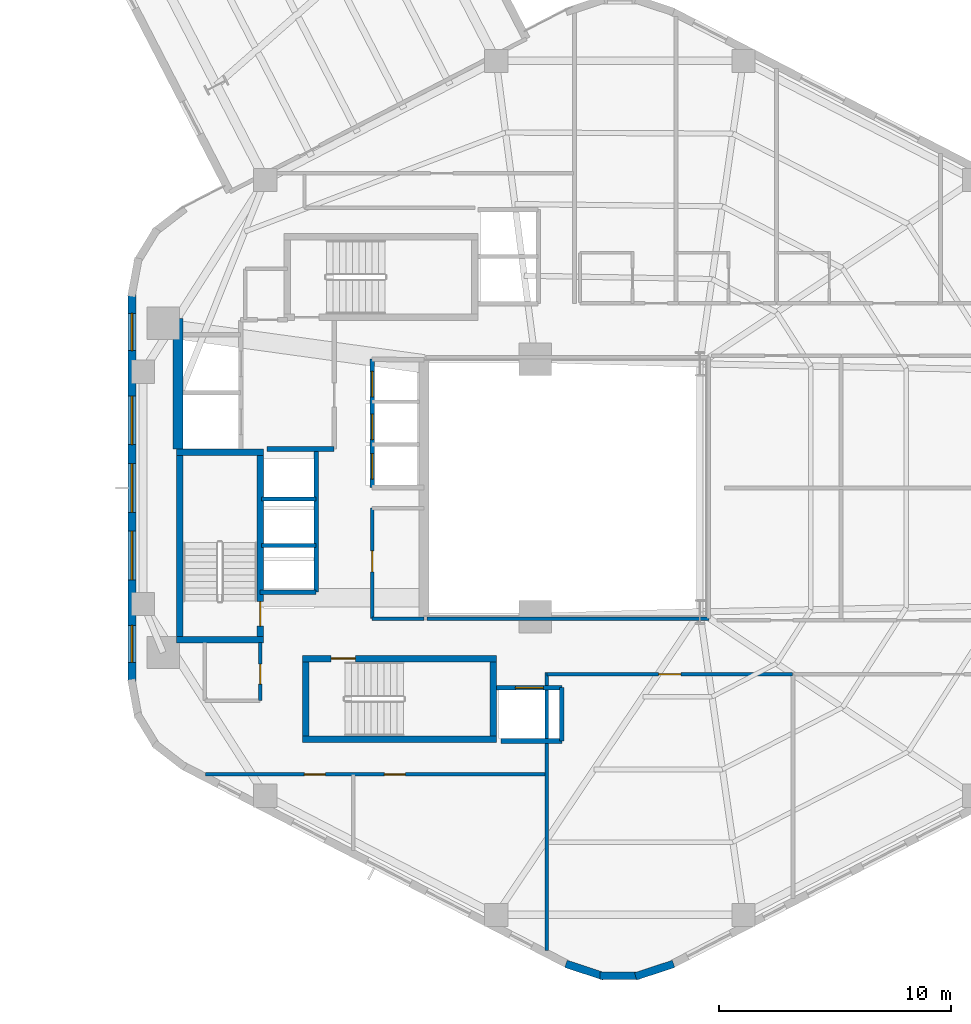
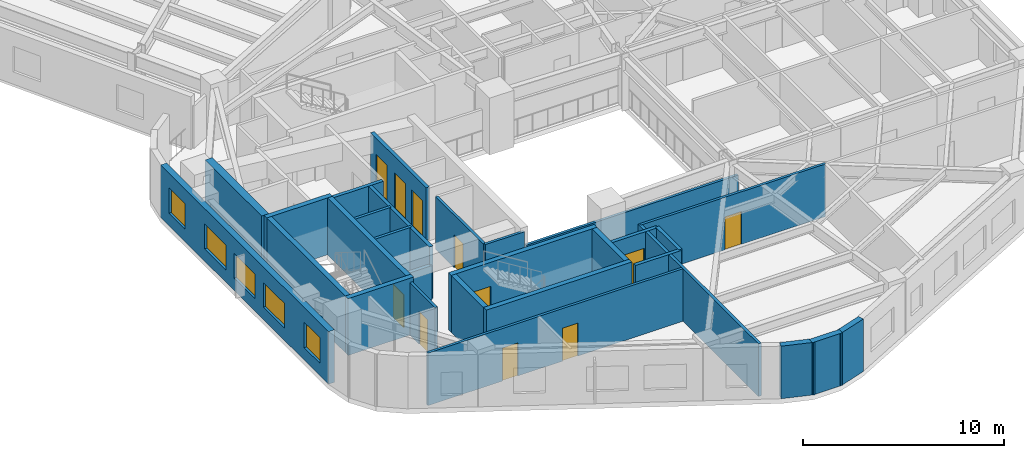
# One storey, part 6 of 11: 29 walls, 11 doors, 5 windows, 16 openings.
"""IFC4 building model written with IfcOpenShell, lengths in metres."""

from ifc_helpers import new_model, si_unit, direction, frame, frame_2d, origin, place, context, subcontext, project, spatial, rectangle, extrude, material, layer, layer_set, type_object, element, fill, save


model = new_model("IFC4")

# Units and contexts
model_context = context("Model", 3, precision=1e-05, world=origin(), true_north=direction((0.0, 1.0)))
body_context = subcontext(model_context, "Body", "Model", "MODEL_VIEW")
ifc_project = project(units=[si_unit("LENGTHUNIT", "METRE"), si_unit("AREAUNIT", "SQUARE_METRE"), si_unit("VOLUMEUNIT", "CUBIC_METRE"), si_unit("PLANEANGLEUNIT", "RADIAN"), si_unit("MASSUNIT", "GRAM", prefix="KILO"), si_unit("THERMODYNAMICTEMPERATUREUNIT", "KELVIN"), si_unit("POWERUNIT", "WATT")], contexts=[model_context])

# Site, building, storey
site_placement = place(None, origin())
site = spatial("IfcSite", under=ifc_project, at=site_placement, CompositionType="ELEMENT")
building_placement = place(site_placement, origin())
building = spatial("IfcBuilding", under=site, at=building_placement, Name="Skarre Station Tower", CompositionType="ELEMENT")
storey_placement = place(building_placement, frame((0.0, 0.0, 146.39990234375)))
storey = spatial("IfcBuildingStorey", under=building, at=storey_placement, Name="L39", CompositionType="ELEMENT", Elevation=146.39990234375)

# Wall, opening, door
ifc_material_1 = material(Name="Acoustic Steel-Stud Gypsum Partition", Category="steel")
ifc_layer_1 = layer(ifc_material_1, 0.14990234375, Name="Acoustic Steel-Stud Gypsum Partition")
ifc_layer_set_1 = layer_set([ifc_layer_1], Name="Acoustic Steel-Stud Gypsum Partition")
wall_type_1 = type_object("IfcWallType", Name="Fire-Rated Corridor Acoustic Partition 150", PredefinedType="PARTITIONING", material=ifc_layer_set_1)
wall_1_placement = place(storey_placement, frame((25.320068359375, 23.1298828125, 0.0), z_axis=(0.0, 0.0, 1.0), x_axis=(0.0, -1.0, 0.0)))
wall_1 = element("IfcWall", 1, at=wall_1_placement, inside=storey, type_object=wall_type_1, Name="L39 Interior Partition WL-PT-L39-RC1-W1", PredefinedType="PARTITIONING", context=body_context, shape_type="SweptSolid", body=[
    extrude(rectangle(XDim=4.769775390625, YDim=0.14990234375, at=frame_2d((2.384765625, 0.0))), origin(), (0.0, 0.0, 1.0), 3.190185546875),
])
opening_1_placement = place(wall_1_placement, frame((1.85009765625, 0.0, 0.0)))
opening_1 = element("IfcOpeningElement", 2, at=opening_1_placement, cuts=wall_1, Name="Opening DR-SVC90", PredefinedType="OPENING", context=body_context, shape_type="SweptSolid", body=[
    extrude(rectangle(XDim=0.89990234375, YDim=2.0, at=frame_2d((0.449951171875, 1.0))), frame((0.0, 0.0849609375, 0.0), z_axis=(0.0, -1.0, 0.0), x_axis=(1.0, 0.0, 0.0)), (0.0, 0.0, 1.0), 0.169921875),
])
ifc_material_2 = material(Name="Powder-Coated Hollow-Metal Acoustic Fire Leaf", Category="steel")
door_type_1 = type_object("IfcDoorType", Name="Service & Riser Fire Door FD60 900x2100", OperationType="SINGLE_SWING_LEFT", PredefinedType="DOOR", material=ifc_material_2)
door_1_placement = place(opening_1_placement, origin())
door_1 = element("IfcDoor", 3, at=door_1_placement, inside=storey, type_object=door_type_1, Name="L39 Core IT Room Door", OperationType="SINGLE_SWING_LEFT", OverallHeight=2.0, OverallWidth=0.89990234375, PredefinedType="DOOR", context=body_context, shape_type="SweptSolid", body=[
    extrude(rectangle(XDim=0.89990234375, YDim=2.0, at=frame_2d((0.449951171875, 1.0))), frame((0.0, 0.02490234375, 0.0), z_axis=(0.0, -1.0, 0.0), x_axis=(1.0, 0.0, 0.0)), (0.0, 0.0, 1.0), 0.050048828125),
])
fill(opening_1, door_1)

# Wall
wall_2_placement = place(storey_placement, frame((25.320068359375, 18.360107421875, 0.0), z_axis=(0.0, 0.0, 1.0), x_axis=(1.0, 0.0, 0.0)))
element("IfcWall", 4, at=wall_2_placement, inside=storey, type_object=wall_type_1, Name="L39 Interior Partition WL-PT-L39-RC1-S", PredefinedType="PARTITIONING", context=body_context, shape_type="SweptSolid", body=[
    extrude(rectangle(XDim=2.22998046875, YDim=0.14990234375, at=frame_2d((1.114990234375, 0.0))), origin(), (0.0, 0.0, 1.0), 3.190185546875),
])

# Wall, opening, door
wall_3_placement = place(storey_placement, frame((20.489990234375, 14.820068359375, 0.0), z_axis=(0.0, 0.0, 1.0), x_axis=(0.0, 1.0, 0.0)))
wall_3 = element("IfcWall", 5, at=wall_3_placement, inside=storey, type_object=wall_type_1, Name="L39 Interior Partition WL-PT-L39-CSVC-E", PredefinedType="PARTITIONING", context=body_context, shape_type="SweptSolid", body=[
    extrude(rectangle(XDim=2.52001953125, YDim=0.14990234375, at=frame_2d((1.260009765625, 0.0))), origin(), (0.0, 0.0, 1.0), 3.190185546875),
])
opening_2_placement = place(wall_3_placement, frame((0.719970703125, 0.0, 0.0)))
opening_2 = element("IfcOpeningElement", 6, at=opening_2_placement, cuts=wall_3, Name="Opening DR-SVC86", PredefinedType="OPENING", context=body_context, shape_type="SweptSolid", body=[
    extrude(rectangle(XDim=0.860107421875, YDim=2.0, at=frame_2d((0.43017578125, 1.0))), frame((0.0, 0.0849609375, 0.0), z_axis=(0.0, -1.0, 0.0), x_axis=(1.0, 0.0, 0.0)), (0.0, 0.0, 1.0), 0.169921875),
])
door_type_2 = type_object("IfcDoorType", Name="Compact Riser Fire Door FD60 860x2100", OperationType="SINGLE_SWING_LEFT", PredefinedType="DOOR", material=ifc_material_2)
door_2_placement = place(opening_2_placement, origin())
door_2 = element("IfcDoor", 7, at=door_2_placement, inside=storey, type_object=door_type_2, Name="L39 Core Staff Toilet Door", OperationType="SINGLE_SWING_LEFT", OverallHeight=2.0, OverallWidth=0.860107421875, PredefinedType="DOOR", context=body_context, shape_type="SweptSolid", body=[
    extrude(rectangle(XDim=0.860107421875, YDim=2.0, at=frame_2d((0.43017578125, 1.0))), frame((0.0, 0.02490234375, 0.0), z_axis=(0.0, -1.0, 0.0), x_axis=(1.0, 0.0, 0.0)), (0.0, 0.0, 1.0), 0.050048828125),
])
fill(opening_2, door_2)

# Wall
wall_4_placement = place(storey_placement, frame((27.675048828125, 18.360107421875, 0.0), z_axis=(0.0, 0.0, 1.0), x_axis=(1.0, 0.0, 0.0)))
element("IfcWall", 8, at=wall_4_placement, inside=storey, type_object=wall_type_1, Name="L39 Interior Partition WL-PT-L39-ATRW-S", PredefinedType="PARTITIONING", context=body_context, shape_type="SweptSolid", body=[
    extrude(rectangle(XDim=12.1650390625, YDim=0.14990234375, at=frame_2d((6.08251953125, 0.0))), origin(), (0.0, 0.0, 1.0), 2.3310546875),
])

# Wall, openings, doors
wall_5_placement = place(storey_placement, frame((18.1259765625, 11.639892578125, 0.0), z_axis=(0.0, 0.0, 1.0), x_axis=(1.0, 0.0, 0.0)))
wall_5 = element("IfcWall", 9, at=wall_5_placement, inside=storey, type_object=wall_type_1, Name="L39 Interior Partition WL-PT-L39-SWP-N", PredefinedType="PARTITIONING", context=body_context, shape_type="SweptSolid", body=[
    extrude(rectangle(XDim=14.72412109375, YDim=0.14990234375, at=frame_2d((7.362060546875, 0.0))), origin(), (0.0, 0.0, 1.0), 3.190185546875),
])
opening_3_placement = place(wall_5_placement, frame((4.27392578125, 0.0, 0.0)))
opening_3 = element("IfcOpeningElement", 10, at=opening_3_placement, cuts=wall_5, Name="Opening DR-SVC90", PredefinedType="OPENING", context=body_context, shape_type="SweptSolid", body=[
    extrude(rectangle(XDim=0.89990234375, YDim=2.0, at=frame_2d((0.449951171875, 1.0))), frame((0.0, 0.0849609375, 0.0), z_axis=(0.0, -1.0, 0.0), x_axis=(1.0, 0.0, 0.0)), (0.0, 0.0, 1.0), 0.169921875),
])
opening_4_placement = place(wall_5_placement, frame((7.72412109375, 0.0, 0.0)))
opening_4 = element("IfcOpeningElement", 11, at=opening_4_placement, cuts=wall_5, Name="Opening DR-SVC90", PredefinedType="OPENING", context=body_context, shape_type="SweptSolid", body=[
    extrude(rectangle(XDim=0.89990234375, YDim=2.0, at=frame_2d((0.449951171875, 1.0))), frame((0.0, 0.0849609375, 0.0), z_axis=(0.0, -1.0, 0.0), x_axis=(1.0, 0.0, 0.0)), (0.0, 0.0, 1.0), 0.169921875),
])
door_3_placement = place(opening_3_placement, origin())
door_3 = element("IfcDoor", 12, at=door_3_placement, inside=storey, type_object=door_type_1, Name="L39 Floor Public Toilets Door", OperationType="SINGLE_SWING_LEFT", OverallHeight=2.0, OverallWidth=0.89990234375, PredefinedType="DOOR", context=body_context, shape_type="SweptSolid", body=[
    extrude(rectangle(XDim=0.89990234375, YDim=2.0, at=frame_2d((0.449951171875, 1.0))), frame((0.0, 0.02490234375, 0.0), z_axis=(0.0, -1.0, 0.0), x_axis=(1.0, 0.0, 0.0)), (0.0, 0.0, 1.0), 0.050048828125),
])
fill(opening_3, door_3)
door_4_placement = place(opening_4_placement, origin())
door_4 = element("IfcDoor", 13, at=door_4_placement, inside=storey, type_object=door_type_1, Name="L39 Housekeeping Room Door", OperationType="SINGLE_SWING_LEFT", OverallHeight=2.0, OverallWidth=0.89990234375, PredefinedType="DOOR", context=body_context, shape_type="SweptSolid", body=[
    extrude(rectangle(XDim=0.89990234375, YDim=2.0, at=frame_2d((0.449951171875, 1.0))), frame((0.0, 0.02490234375, 0.0), z_axis=(0.0, -1.0, 0.0), x_axis=(1.0, 0.0, 0.0)), (0.0, 0.0, 1.0), 0.050048828125),
])
fill(opening_4, door_4)

# Wall, opening, door
wall_6_placement = place(storey_placement, frame((32.85009765625, 15.9599609375, 0.0), z_axis=(0.0, 0.0, 1.0), x_axis=(1.0, 0.0, 0.0)))
wall_6 = element("IfcWall", 14, at=wall_6_placement, inside=storey, type_object=wall_type_1, Name="L39 Interior Partition WL-PT-L39-SW1-CW", PredefinedType="PARTITIONING", context=body_context, shape_type="SweptSolid", body=[
    extrude(rectangle(XDim=10.61083984375, YDim=0.14990234375, at=frame_2d((5.305419921875, 0.0))), origin(), (0.0, 0.0, 1.0), 3.190185546875),
])
opening_5_placement = place(wall_6_placement, frame((4.825927734375, 0.0, 0.0)))
opening_5 = element("IfcOpeningElement", 15, at=opening_5_placement, cuts=wall_6, Name="Opening DR-FD60", PredefinedType="OPENING", context=body_context, shape_type="SweptSolid", body=[
    extrude(rectangle(XDim=0.9599609375, YDim=2.0, at=frame_2d((0.47998046875, 1.0))), frame((0.0, 0.0849609375, 0.0), z_axis=(0.0, -1.0, 0.0), x_axis=(1.0, 0.0, 0.0)), (0.0, 0.0, 1.0), 0.169921875),
])
ifc_material_3 = material(Name="Nordic White-Oak Veneer Solid-Core Fire Leaf", Category="wood")
door_type_3 = type_object("IfcDoorType", Name="Corridor Suite Entry Fire Door FD60 960x2150", OperationType="SINGLE_SWING_LEFT", PredefinedType="DOOR", material=ifc_material_3)
door_5_placement = place(opening_5_placement, origin())
door_5 = element("IfcDoor", 16, at=door_5_placement, inside=storey, type_object=door_type_3, Name="L39 SW1 Entry Door", OperationType="SINGLE_SWING_LEFT", OverallHeight=2.0, OverallWidth=0.9599609375, PredefinedType="DOOR", context=body_context, shape_type="SweptSolid", body=[
    extrude(rectangle(XDim=0.9599609375, YDim=2.0, at=frame_2d((0.47998046875, 1.0))), frame((0.0, 0.02490234375, 0.0), z_axis=(0.0, -1.0, 0.0), x_axis=(1.0, 0.0, 0.0)), (0.0, 0.0, 1.0), 0.050048828125),
])
fill(opening_5, door_5)

# Wall, openings, windows
ifc_material_4 = material(Name="Precast concrete C45/55", Category="concrete")
ifc_layer_2 = layer(ifc_material_4, 0.340087890625, Name="Precast concrete C45/55")
ifc_layer_set_2 = layer_set([ifc_layer_2], Name="Precast concrete C45/55")
wall_type_2 = type_object("IfcWallType", Name="Nordic Honed Precast Facet Wall 340", PredefinedType="STANDARD", material=ifc_layer_set_2)
wall_7_placement = place(storey_placement, frame((14.951904296875, 15.64794921875, 0.0), z_axis=(0.0, 0.0, 1.0), x_axis=(0.0, 1.0, 0.0)))
wall_7 = element("IfcWall", 17, at=wall_7_placement, inside=storey, type_object=wall_type_2, Name="L39 Facet 2 Nordic Precast Masonry Wall", PredefinedType="STANDARD", context=body_context, shape_type="SweptSolid", body=[
    extrude(rectangle(XDim=16.7041015625, YDim=0.340087890625, at=frame_2d((8.35205078125, 0.0))), origin(), (0.0, 0.0, 1.0), 3.190185546875),
])
opening_6_placement = place(wall_7_placement, frame((0.825927734375, 0.0, 0.75)))
opening_6 = element("IfcOpeningElement", 18, at=opening_6_placement, cuts=wall_7, Name="Opening WN-Z2A", PredefinedType="OPENING", context=body_context, shape_type="SweptSolid", body=[
    extrude(rectangle(XDim=1.60009765625, YDim=1.550048828125, at=frame_2d((0.800048828125, 0.77490234375))), frame((0.0, 0.179931640625, 0.0), z_axis=(0.0, -1.0, 0.0), x_axis=(1.0, 0.0, 0.0)), (0.0, 0.0, 1.0), 0.360107421875),
])
opening_7_placement = place(wall_7_placement, frame((4.387939453125, 0.0, 0.75)))
opening_7 = element("IfcOpeningElement", 19, at=opening_7_placement, cuts=wall_7, Name="Opening WN-Z2B", PredefinedType="OPENING", context=body_context, shape_type="SweptSolid", body=[
    extrude(rectangle(XDim=2.10009765625, YDim=1.5, at=frame_2d((1.050048828125, 0.75))), frame((0.0, 0.179931640625, 0.0), z_axis=(0.0, -1.0, 0.0), x_axis=(1.0, 0.0, 0.0)), (0.0, 0.0, 1.0), 0.360107421875),
])
opening_8_placement = place(wall_7_placement, frame((7.302001953125, 0.0, 0.75)))
opening_8 = element("IfcOpeningElement", 20, at=opening_8_placement, cuts=wall_7, Name="Opening WN-Z2B", PredefinedType="OPENING", context=body_context, shape_type="SweptSolid", body=[
    extrude(rectangle(XDim=2.10009765625, YDim=1.5, at=frame_2d((1.050048828125, 0.75))), frame((0.0, 0.179931640625, 0.0), z_axis=(0.0, -1.0, 0.0), x_axis=(1.0, 0.0, 0.0)), (0.0, 0.0, 1.0), 0.360107421875),
])
opening_9_placement = place(wall_7_placement, frame((10.216064453125, 0.0, 0.75)))
opening_9 = element("IfcOpeningElement", 21, at=opening_9_placement, cuts=wall_7, Name="Opening WN-Z2B", PredefinedType="OPENING", context=body_context, shape_type="SweptSolid", body=[
    extrude(rectangle(XDim=2.10009765625, YDim=1.5, at=frame_2d((1.050048828125, 0.75))), frame((0.0, 0.179931640625, 0.0), z_axis=(0.0, -1.0, 0.0), x_axis=(1.0, 0.0, 0.0)), (0.0, 0.0, 1.0), 0.360107421875),
])
opening_10_placement = place(wall_7_placement, frame((14.278076171875, 0.0, 0.75)))
opening_10 = element("IfcOpeningElement", 22, at=opening_10_placement, cuts=wall_7, Name="Opening WN-Z2A", PredefinedType="OPENING", context=body_context, shape_type="SweptSolid", body=[
    extrude(rectangle(XDim=1.60009765625, YDim=1.550048828125, at=frame_2d((0.800048828125, 0.77490234375))), frame((0.0, 0.179931640625, 0.0), z_axis=(0.0, -1.0, 0.0), x_axis=(1.0, 0.0, 0.0)), (0.0, 0.0, 1.0), 0.360107421875),
])
ifc_material_5 = material(Name="Low-Iron Triple Glazing with Bronze Anodized Frame", Category="glass")
window_type_1 = type_object("IfcWindowType", Name="Nordic Residential Tall Window 1600x1550", PartitioningType="SINGLE_PANEL", PredefinedType="WINDOW", material=ifc_material_5)
window_1_placement = place(opening_6_placement, origin())
window_1 = element("IfcWindow", 23, at=window_1_placement, inside=storey, type_object=window_type_1, Name="L39 Facade Window WL-FAC-L39-F2-1", OverallHeight=1.550048828125, OverallWidth=1.60009765625, PartitioningType="SINGLE_PANEL", PredefinedType="WINDOW", context=body_context, shape_type="SweptSolid", body=[
    extrude(rectangle(XDim=1.60009765625, YDim=1.550048828125, at=frame_2d((0.800048828125, 0.77490234375))), frame((0.0, 0.030029296875, 0.0), z_axis=(0.0, -1.0, 0.0), x_axis=(1.0, 0.0, 0.0)), (0.0, 0.0, 1.0), 0.06005859375),
])
fill(opening_6, window_1)
window_2_placement = place(opening_10_placement, origin())
window_2 = element("IfcWindow", 24, at=window_2_placement, inside=storey, type_object=window_type_1, Name="L39 Facade Window WL-FAC-L39-F2-5", OverallHeight=1.550048828125, OverallWidth=1.60009765625, PartitioningType="SINGLE_PANEL", PredefinedType="WINDOW", context=body_context, shape_type="SweptSolid", body=[
    extrude(rectangle(XDim=1.60009765625, YDim=1.550048828125, at=frame_2d((0.800048828125, 0.77490234375))), frame((0.0, 0.030029296875, 0.0), z_axis=(0.0, -1.0, 0.0), x_axis=(1.0, 0.0, 0.0)), (0.0, 0.0, 1.0), 0.06005859375),
])
fill(opening_10, window_2)
window_type_2 = type_object("IfcWindowType", Name="Nordic Residential Twin Window 2100x1500", PartitioningType="SINGLE_PANEL", PredefinedType="WINDOW", material=ifc_material_5)
window_3_placement = place(opening_7_placement, origin())
window_3 = element("IfcWindow", 25, at=window_3_placement, inside=storey, type_object=window_type_2, Name="L39 Facade Window WL-FAC-L39-F2-2", OverallHeight=1.5, OverallWidth=2.10009765625, PartitioningType="SINGLE_PANEL", PredefinedType="WINDOW", context=body_context, shape_type="SweptSolid", body=[
    extrude(rectangle(XDim=2.10009765625, YDim=1.5, at=frame_2d((1.050048828125, 0.75))), frame((0.0, 0.030029296875, 0.0), z_axis=(0.0, -1.0, 0.0), x_axis=(1.0, 0.0, 0.0)), (0.0, 0.0, 1.0), 0.06005859375),
])
fill(opening_7, window_3)
window_4_placement = place(opening_8_placement, origin())
window_4 = element("IfcWindow", 26, at=window_4_placement, inside=storey, type_object=window_type_2, Name="L39 Facade Window WL-FAC-L39-F2-3", OverallHeight=1.5, OverallWidth=2.10009765625, PartitioningType="SINGLE_PANEL", PredefinedType="WINDOW", context=body_context, shape_type="SweptSolid", body=[
    extrude(rectangle(XDim=2.10009765625, YDim=1.5, at=frame_2d((1.050048828125, 0.75))), frame((0.0, 0.030029296875, 0.0), z_axis=(0.0, -1.0, 0.0), x_axis=(1.0, 0.0, 0.0)), (0.0, 0.0, 1.0), 0.06005859375),
])
fill(opening_8, window_4)
window_5_placement = place(opening_9_placement, origin())
window_5 = element("IfcWindow", 27, at=window_5_placement, inside=storey, type_object=window_type_2, Name="L39 Facade Window WL-FAC-L39-F2-4", OverallHeight=1.5, OverallWidth=2.10009765625, PartitioningType="SINGLE_PANEL", PredefinedType="WINDOW", context=body_context, shape_type="SweptSolid", body=[
    extrude(rectangle(XDim=2.10009765625, YDim=1.5, at=frame_2d((1.050048828125, 0.75))), frame((0.0, 0.030029296875, 0.0), z_axis=(0.0, -1.0, 0.0), x_axis=(1.0, 0.0, 0.0)), (0.0, 0.0, 1.0), 0.06005859375),
])
fill(opening_9, window_5)

# Walls
ifc_layer_3 = layer(ifc_material_4, 0.330078125, Name="Precast concrete C45/55")
ifc_layer_set_3 = layer_set([ifc_layer_3], Name="Precast concrete C45/55")
wall_type_3 = type_object("IfcWallType", Name="Nordic Rounded Corner Precast Wall 330", PredefinedType="STANDARD", material=ifc_layer_set_3)
for number, where, z_axis, x_axis, name in (
    (28, (38.319091796875, 3.468017578125, 0.0), (0.0, 0.0, 1.0), (-0.949937416267, -0.312440242569, 0.0), "L39 Rounded Corner Precast Wall F4-1"),
    (29, (36.861083984375, 2.958984375, 0.0), (0.0, 0.0, 1.0), (-1.0, 0.0, 0.0), "L39 Rounded Corner Precast Wall F4-2"),
    (30, (35.31689453125, 2.929931640625, 0.0), (0.0, 0.0, 1.0), (-0.949937416267, 0.312440242569, 0.0), "L39 Rounded Corner Precast Wall F4-3"),
):
    element("IfcWall", number, at=place(storey_placement, frame(where, z_axis=z_axis, x_axis=x_axis)), inside=storey, type_object=wall_type_3, Name=name, PredefinedType="STANDARD", context=body_context, shape_type="SweptSolid", body=[
        extrude(rectangle(XDim=1.72216796875, YDim=0.330078125, at=frame_2d((0.861083984375, 0.0))), origin(), (0.0, 0.0, 1.0), 3.190185546875),
    ])
ifc_material_6 = material(Name="Concrete C50/60", Category="concrete")
ifc_layer_4 = layer(ifc_material_6, 0.280029296875, Name="Concrete C50/60")
ifc_layer_set_4 = layer_set([ifc_layer_4], Name="Concrete C50/60")
wall_type_4 = type_object("IfcWallType", Name="RC Core Shear Wall 280", PredefinedType="SHEAR", material=ifc_layer_set_4)
for number, where, z_axis, x_axis, name in (
    (31, (16.8701171875, 17.4599609375, 0.0), (0.0, 0.0, 1.0), (1.0, 0.0, 0.0), "L39 Stair ST-1 South Shear Wall"),
    (32, (20.6298828125, 25.5400390625, 0.0), (0.0, 0.0, 1.0), (-1.0, 0.0, 0.0), "L39 Stair ST-1 North Shear Wall"),
):
    element("IfcWall", number, at=place(storey_placement, frame(where, z_axis=z_axis, x_axis=x_axis)), inside=storey, type_object=wall_type_4, Name=name, PredefinedType="SHEAR", context=body_context, shape_type="SweptSolid", body=[
        extrude(rectangle(XDim=3.759765625, YDim=0.280029296875, at=frame_2d((1.8798828125, 0.0))), origin(), (0.0, 0.0, 1.0), 3.4501953125),
    ])
wall_8_placement = place(storey_placement, frame((17.010009765625, 25.39990234375, 0.0), z_axis=(0.0, 0.0, 1.0), x_axis=(0.0, -1.0, 0.0)))
element("IfcWall", 33, at=wall_8_placement, inside=storey, type_object=wall_type_4, Name="L39 Stair ST-1 West Shear Wall", PredefinedType="SHEAR", context=body_context, shape_type="SweptSolid", body=[
    extrude(rectangle(XDim=7.7998046875, YDim=0.280029296875, at=frame_2d((3.89990234375, 0.0))), origin(), (0.0, 0.0, 1.0), 3.4501953125),
])

# Wall, opening, door
wall_9_placement = place(storey_placement, frame((20.489990234375, 17.60009765625, 0.0), z_axis=(0.0, 0.0, 1.0), x_axis=(0.0, 1.0, 0.0)))
wall_9 = element("IfcWall", 34, at=wall_9_placement, inside=storey, type_object=wall_type_4, Name="L39 Stair ST-1 East Shear Wall", PredefinedType="SHEAR", context=body_context, shape_type="SweptSolid", body=[
    extrude(rectangle(XDim=7.7998046875, YDim=0.280029296875, at=frame_2d((3.89990234375, 0.0))), origin(), (0.0, 0.0, 1.0), 3.4501953125),
])
opening_11_placement = place(wall_9_placement, frame((0.43994140625, 0.0, 0.0)))
opening_11 = element("IfcOpeningElement", 35, at=opening_11_placement, cuts=wall_9, Name="Opening DR-FD90", PredefinedType="OPENING", context=body_context, shape_type="SweptSolid", body=[
    extrude(rectangle(XDim=1.050048828125, YDim=2.0, at=frame_2d((0.52490234375, 1.0))), frame((0.0, 0.14990234375, 0.0), z_axis=(0.0, -1.0, 0.0), x_axis=(1.0, 0.0, 0.0)), (0.0, 0.0, 1.0), 0.300048828125),
])
ifc_material_7 = material(Name="Fire-Rated Insulated Steel Frame & Timber Core Leaf", Category="steel")
door_type_4 = type_object("IfcDoorType", Name="Stair & FSAE Lobby Fire Door FD90 1050x2150", OperationType="SINGLE_SWING_RIGHT", PredefinedType="DOOR", material=ifc_material_7)
door_6_placement = place(opening_11_placement, origin())
door_6 = element("IfcDoor", 36, at=door_6_placement, inside=storey, type_object=door_type_4, Name="L39 Stair ST-1 Exit Door", OperationType="SINGLE_SWING_RIGHT", OverallHeight=2.0, OverallWidth=1.050048828125, PredefinedType="DOOR", context=body_context, shape_type="SweptSolid", body=[
    extrude(rectangle(XDim=1.050048828125, YDim=2.0, at=frame_2d((0.52490234375, 1.0))), frame((0.0, 0.02490234375, 0.0), z_axis=(0.0, -1.0, 0.0), x_axis=(1.0, 0.0, 0.0)), (0.0, 0.0, 1.0), 0.050048828125),
])
fill(opening_11, door_6)

# Wall
wall_10_placement = place(storey_placement, frame((22.320068359375, 13.159912109375, 0.0), z_axis=(0.0, 0.0, 1.0), x_axis=(1.0, 0.0, 0.0)))
element("IfcWall", 37, at=wall_10_placement, inside=storey, type_object=wall_type_4, Name="L39 Stair ST-2 South Shear Wall", PredefinedType="SHEAR", context=body_context, shape_type="SweptSolid", body=[
    extrude(rectangle(XDim=8.35986328125, YDim=0.280029296875, at=frame_2d((4.179931640625, 0.0))), origin(), (0.0, 0.0, 1.0), 3.4501953125),
])

# Wall, opening, door
wall_11_placement = place(storey_placement, frame((30.679931640625, 16.639892578125, 0.0), z_axis=(0.0, 0.0, 1.0), x_axis=(-1.0, 0.0, 0.0)))
wall_11 = element("IfcWall", 38, at=wall_11_placement, inside=storey, type_object=wall_type_4, Name="L39 Stair ST-2 North Shear Wall", PredefinedType="SHEAR", context=body_context, shape_type="SweptSolid", body=[
    extrude(rectangle(XDim=8.35986328125, YDim=0.280029296875, at=frame_2d((4.179931640625, 0.0))), origin(), (0.0, 0.0, 1.0), 3.4501953125),
])
opening_12_placement = place(wall_11_placement, frame((6.080078125, 0.0, 0.0)))
opening_12 = element("IfcOpeningElement", 39, at=opening_12_placement, cuts=wall_11, Name="Opening DR-FD90", PredefinedType="OPENING", context=body_context, shape_type="SweptSolid", body=[
    extrude(rectangle(XDim=1.050048828125, YDim=2.0, at=frame_2d((0.52490234375, 1.0))), frame((0.0, 0.14990234375, 0.0), z_axis=(0.0, -1.0, 0.0), x_axis=(1.0, 0.0, 0.0)), (0.0, 0.0, 1.0), 0.300048828125),
])
door_7_placement = place(opening_12_placement, origin())
door_7 = element("IfcDoor", 40, at=door_7_placement, inside=storey, type_object=door_type_4, Name="L39 Stair ST-2 Exit Door", OperationType="SINGLE_SWING_RIGHT", OverallHeight=2.0, OverallWidth=1.050048828125, PredefinedType="DOOR", context=body_context, shape_type="SweptSolid", body=[
    extrude(rectangle(XDim=1.050048828125, YDim=2.0, at=frame_2d((0.52490234375, 1.0))), frame((0.0, 0.02490234375, 0.0), z_axis=(0.0, -1.0, 0.0), x_axis=(1.0, 0.0, 0.0)), (0.0, 0.0, 1.0), 0.050048828125),
])
fill(opening_12, door_7)

# Walls
for number, where, z_axis, x_axis, name in (
    (41, (22.4599609375, 16.5, 0.0), (0.0, 0.0, 1.0), (0.0, -1.0, 0.0), "L39 Stair ST-2 West Shear Wall"),
    (42, (30.5400390625, 13.300048828125, 0.0), (0.0, 0.0, 1.0), (0.0, 1.0, 0.0), "L39 Stair ST-2 East Shear Wall"),
):
    element("IfcWall", number, at=place(storey_placement, frame(where, z_axis=z_axis, x_axis=x_axis)), inside=storey, type_object=wall_type_4, Name=name, PredefinedType="SHEAR", context=body_context, shape_type="SweptSolid", body=[
        extrude(rectangle(XDim=3.199951171875, YDim=0.280029296875, at=frame_2d((1.60009765625, 0.0))), origin(), (0.0, 0.0, 1.0), 3.4501953125),
    ])
ifc_material_8 = material(Name="Concrete C60/75", Category="concrete")
ifc_layer_5 = layer(ifc_material_8, 0.419921875, Name="Concrete C60/75")
ifc_layer_set_5 = layer_set([ifc_layer_5], Name="Concrete C60/75")
wall_type_5 = type_object("IfcWallType", Name="RC Core Shear Wall 420", PredefinedType="SHEAR", material=ifc_layer_set_5)
wall_12_placement = place(storey_placement, frame((16.93994140625, 25.679931640625, 0.0), z_axis=(0.0, 0.0, 1.0), x_axis=(0.0, 1.0, 0.0)))
element("IfcWall", 43, at=wall_12_placement, inside=storey, type_object=wall_type_5, Name="L39 Core West-North Shear Wall", PredefinedType="SHEAR", context=body_context, shape_type="SweptSolid", body=[
    extrude(rectangle(XDim=5.6201171875, YDim=0.419921875, at=frame_2d((2.81005859375, 0.0))), origin(), (0.0, 0.0, 1.0), 3.4501953125),
])
ifc_material_9 = material(Name="Gypsum Concrete Shaft Assembly C30/37", Category="concrete")
ifc_layer_6 = layer(ifc_material_9, 0.199951171875, Name="Gypsum Concrete Shaft Assembly C30/37")
ifc_layer_set_6 = layer_set([ifc_layer_6], Name="Gypsum Concrete Shaft Assembly C30/37")
wall_type_6 = type_object("IfcWallType", Name="Shaft & Core Fire Partition 200", PredefinedType="PARTITIONING", material=ifc_layer_set_6)
wall_13_placement = place(storey_placement, frame((20.79296875, 25.679931640625, 0.0), z_axis=(0.0, 0.0, 1.0), x_axis=(1.0, 0.0, 0.0)))
element("IfcWall", 44, at=wall_13_placement, inside=storey, type_object=wall_type_6, Name="L39 Interior Partition WL-PT-L39-FSAE-S", PredefinedType="PARTITIONING", context=body_context, shape_type="SweptSolid", body=[
    extrude(rectangle(XDim=2.886962890625, YDim=0.199951171875, at=frame_2d((1.443359375, 0.0))), origin(), (0.0, 0.0, 1.0), 3.190185546875),
])

# Wall, opening, door
wall_14_placement = place(storey_placement, frame((33.5, 15.3798828125, 0.0), z_axis=(0.0, 0.0, 1.0), x_axis=(-1.0, 0.0, 0.0)))
wall_14 = element("IfcWall", 45, at=wall_14_placement, inside=storey, type_object=wall_type_6, Name="L39 Interior Partition WL-PT-L39-SV1-N", PredefinedType="PARTITIONING", context=body_context, shape_type="SweptSolid", body=[
    extrude(rectangle(XDim=2.820068359375, YDim=0.199951171875, at=frame_2d((1.41015625, 0.0))), origin(), (0.0, 0.0, 1.0), 3.190185546875),
])
opening_13_placement = place(wall_14_placement, frame((0.800048828125, 0.0, 0.0)))
opening_13 = element("IfcOpeningElement", 46, at=opening_13_placement, cuts=wall_14, Name="Opening LD-SV1", PredefinedType="OPENING", context=body_context, shape_type="SweptSolid", body=[
    extrude(rectangle(XDim=1.199951171875, YDim=2.199951171875, at=frame_2d((0.60009765625, 1.10009765625))), frame((0.0, 0.10986328125, 0.0), z_axis=(0.0, -1.0, 0.0), x_axis=(1.0, 0.0, 0.0)), (0.0, 0.0, 1.0), 0.219970703125),
])
ifc_material_10 = material(Name="Heavy-Gauge Brushed Stainless Steel Sliding Leaves", Category="steel")
door_type_5 = type_object("IfcDoorType", Name="Service Elevator Wide Sliding Landing Door 1200x2200", OperationType="SLIDING_TO_RIGHT", PredefinedType="DOOR", material=ifc_material_10)
door_8_placement = place(opening_13_placement, origin())
door_8 = element("IfcDoor", 47, at=door_8_placement, inside=storey, type_object=door_type_5, Name="L39 Service Lift LF-SV1 Landing Door", OperationType="SLIDING_TO_RIGHT", OverallHeight=2.199951171875, OverallWidth=1.199951171875, PredefinedType="DOOR", context=body_context, shape_type="SweptSolid", body=[
    extrude(rectangle(XDim=1.199951171875, YDim=2.199951171875, at=frame_2d((0.60009765625, 1.10009765625))), frame((0.0, 0.02490234375, 0.0), z_axis=(0.0, -1.0, 0.0), x_axis=(1.0, 0.0, 0.0)), (0.0, 0.0, 1.0), 0.050048828125),
])
fill(opening_13, door_8)

# Walls
wall_15_placement = place(storey_placement, frame((33.5, 13.080078125, 0.0), z_axis=(0.0, 0.0, 1.0), x_axis=(0.0, 1.0, 0.0)))
element("IfcWall", 48, at=wall_15_placement, inside=storey, type_object=wall_type_6, Name="L39 Interior Partition WL-PT-L39-SV1-E", PredefinedType="PARTITIONING", context=body_context, shape_type="SweptSolid", body=[
    extrude(rectangle(XDim=2.2998046875, YDim=0.199951171875, at=frame_2d((1.14990234375, 0.0))), origin(), (0.0, 0.0, 1.0), 3.190185546875),
])
wall_16_placement = place(storey_placement, frame((30.87890625, 13.080078125, 0.0), z_axis=(0.0, 0.0, 1.0), x_axis=(1.0, 0.0, 0.0)))
element("IfcWall", 49, at=wall_16_placement, inside=storey, type_object=wall_type_6, Name="L39 Interior Partition WL-PT-L39-SV1-S", PredefinedType="PARTITIONING", context=body_context, shape_type="SweptSolid", body=[
    extrude(rectangle(XDim=2.62109375, YDim=0.199951171875, at=frame_2d((1.310546875, 0.0))), origin(), (0.0, 0.0, 1.0), 3.190185546875),
])
wall_17_placement = place(storey_placement, frame((22.89990234375, 19.5, 0.0), z_axis=(0.0, 0.0, 1.0), x_axis=(0.0, 1.0, 0.0)))
element("IfcWall", 50, at=wall_17_placement, inside=storey, type_object=wall_type_6, Name="L39 Interior Partition WL-PT-L39-B3-E", PredefinedType="PARTITIONING", context=body_context, shape_type="SweptSolid", body=[
    extrude(rectangle(XDim=6.0849609375, YDim=0.199951171875, at=frame_2d((3.04248046875, 0.0))), origin(), (0.0, 0.0, 1.0), 3.190185546875),
])
wall_18_placement = place(storey_placement, frame((20.489990234375, 19.5, 0.0), z_axis=(0.0, 0.0, 1.0), x_axis=(1.0, 0.0, 0.0)))
element("IfcWall", 51, at=wall_18_placement, inside=storey, type_object=wall_type_6, Name="L39 Interior Partition WL-PT-L39-B3-S", PredefinedType="PARTITIONING", context=body_context, shape_type="SweptSolid", body=[
    extrude(rectangle(XDim=2.409912109375, YDim=0.199951171875, at=frame_2d((1.205078125, 0.0))), origin(), (0.0, 0.0, 1.0), 2.090087890625),
])
for number, where, z_axis, x_axis, name in (
    (52, (20.550048828125, 21.52001953125, 0.0), (0.0, 0.0, 1.0), (1.0, 0.0, 0.0), "L39 Interior Partition WL-PT-L39-B3-D1"),
    (53, (20.550048828125, 23.52001953125, 0.0), (0.0, 0.0, 1.0), (1.0, 0.0, 0.0), "L39 Interior Partition WL-PT-L39-B3-D2"),
):
    element("IfcWall", number, at=place(storey_placement, frame(where, z_axis=z_axis, x_axis=x_axis)), inside=storey, type_object=wall_type_6, Name=name, PredefinedType="PARTITIONING", context=body_context, shape_type="SweptSolid", body=[
        extrude(rectangle(XDim=2.349853515625, YDim=0.159912109375, at=frame_2d((1.1748046875, 0.0))), origin(), (0.0, 0.0, 1.0), 3.190185546875),
    ])

# Wall, openings, doors
wall_19_placement = place(storey_placement, frame((25.320068359375, 29.550048828125, 0.0), z_axis=(0.0, 0.0, 1.0), x_axis=(0.0, -1.0, 0.0)))
wall_19 = element("IfcWall", 54, at=wall_19_placement, inside=storey, type_object=wall_type_6, Name="L39 Interior Partition WL-PT-L39-B2-W", PredefinedType="PARTITIONING", context=body_context, shape_type="SweptSolid", body=[
    extrude(rectangle(XDim=5.530029296875, YDim=0.199951171875, at=frame_2d((2.76513671875, 0.0))), origin(), (0.0, 0.0, 1.0), 3.190185546875),
])
opening_14_placement = place(wall_19_placement, frame((0.52001953125, 0.0, 0.0)))
opening_14 = element("IfcOpeningElement", 55, at=opening_14_placement, cuts=wall_19, Name="Opening LD-P6", PredefinedType="OPENING", context=body_context, shape_type="SweptSolid", body=[
    extrude(rectangle(XDim=1.10009765625, YDim=2.199951171875, at=frame_2d((0.550048828125, 1.10009765625))), frame((0.0, 0.10986328125, 0.0), z_axis=(0.0, -1.0, 0.0), x_axis=(1.0, 0.0, 0.0)), (0.0, 0.0, 1.0), 0.219970703125),
])
opening_15_placement = place(wall_19_placement, frame((2.3701171875, 0.0, 0.0)))
opening_15 = element("IfcOpeningElement", 56, at=opening_15_placement, cuts=wall_19, Name="Opening LD-P5", PredefinedType="OPENING", context=body_context, shape_type="SweptSolid", body=[
    extrude(rectangle(XDim=1.10009765625, YDim=2.199951171875, at=frame_2d((0.550048828125, 1.10009765625))), frame((0.0, 0.10986328125, 0.0), z_axis=(0.0, -1.0, 0.0), x_axis=(1.0, 0.0, 0.0)), (0.0, 0.0, 1.0), 0.219970703125),
])
opening_16_placement = place(wall_19_placement, frame((4.070068359375, 0.0, 0.0)))
opening_16 = element("IfcOpeningElement", 57, at=opening_16_placement, cuts=wall_19, Name="Opening LD-P4", PredefinedType="OPENING", context=body_context, shape_type="SweptSolid", body=[
    extrude(rectangle(XDim=1.10009765625, YDim=2.199951171875, at=frame_2d((0.550048828125, 1.10009765625))), frame((0.0, 0.10986328125, 0.0), z_axis=(0.0, -1.0, 0.0), x_axis=(1.0, 0.0, 0.0)), (0.0, 0.0, 1.0), 0.219970703125),
])
ifc_material_11 = material(Name="Brushed Bronze Stainless Steel Sliding Leaves", Category="steel")
door_type_6 = type_object("IfcDoorType", Name="Passenger Elevator Center-Parting Sliding Door 1100x2200", OperationType="SLIDING_TO_LEFT", PredefinedType="DOOR", material=ifc_material_11)
door_9_placement = place(opening_14_placement, origin())
door_9 = element("IfcDoor", 58, at=door_9_placement, inside=storey, type_object=door_type_6, Name="L39 Passenger Lift LF-P6 Landing Door", OperationType="SLIDING_TO_LEFT", OverallHeight=2.199951171875, OverallWidth=1.10009765625, PredefinedType="DOOR", context=body_context, shape_type="SweptSolid", body=[
    extrude(rectangle(XDim=1.10009765625, YDim=2.199951171875, at=frame_2d((0.550048828125, 1.10009765625))), frame((0.0, 0.02490234375, 0.0), z_axis=(0.0, -1.0, 0.0), x_axis=(1.0, 0.0, 0.0)), (0.0, 0.0, 1.0), 0.050048828125),
])
fill(opening_14, door_9)
door_10_placement = place(opening_15_placement, origin())
door_10 = element("IfcDoor", 59, at=door_10_placement, inside=storey, type_object=door_type_6, Name="L39 Passenger Lift LF-P5 Landing Door", OperationType="SLIDING_TO_LEFT", OverallHeight=2.199951171875, OverallWidth=1.10009765625, PredefinedType="DOOR", context=body_context, shape_type="SweptSolid", body=[
    extrude(rectangle(XDim=1.10009765625, YDim=2.199951171875, at=frame_2d((0.550048828125, 1.10009765625))), frame((0.0, 0.02490234375, 0.0), z_axis=(0.0, -1.0, 0.0), x_axis=(1.0, 0.0, 0.0)), (0.0, 0.0, 1.0), 0.050048828125),
])
fill(opening_15, door_10)
door_11_placement = place(opening_16_placement, origin())
door_11 = element("IfcDoor", 60, at=door_11_placement, inside=storey, type_object=door_type_6, Name="L39 Passenger Lift LF-P4 Landing Door", OperationType="SLIDING_TO_LEFT", OverallHeight=2.199951171875, OverallWidth=1.10009765625, PredefinedType="DOOR", context=body_context, shape_type="SweptSolid", body=[
    extrude(rectangle(XDim=1.10009765625, YDim=2.199951171875, at=frame_2d((0.550048828125, 1.10009765625))), frame((0.0, 0.02490234375, 0.0), z_axis=(0.0, -1.0, 0.0), x_axis=(1.0, 0.0, 0.0)), (0.0, 0.0, 1.0), 0.050048828125),
])
fill(opening_16, door_11)

# Wall
ifc_layer_7 = layer(ifc_material_1, 0.1650390625, Name="Acoustic Steel-Stud Gypsum Partition")
ifc_layer_set_7 = layer_set([ifc_layer_7], Name="Acoustic Steel-Stud Gypsum Partition")
wall_type_7 = type_object("IfcWallType", Name="Suite Demising Acoustic Partition 165", PredefinedType="PARTITIONING", material=ifc_layer_set_7)
wall_20_placement = place(storey_placement, frame((32.85009765625, 4.0400390625, 0.0), z_axis=(0.0, 0.0, 1.0), x_axis=(0.0, 1.0, 0.0)))
element("IfcWall", 61, at=wall_20_placement, inside=storey, type_object=wall_type_7, Name="L39 Interior Partition WL-PT-L39-SWP-E", PredefinedType="PARTITIONING", context=body_context, shape_type="SweptSolid", body=[
    extrude(rectangle(XDim=11.989990234375, YDim=0.1650390625, at=frame_2d((5.9951171875, 0.0))), origin(), (0.0, 0.0, 1.0), 3.190185546875),
])

save(model, "model.ifc")
